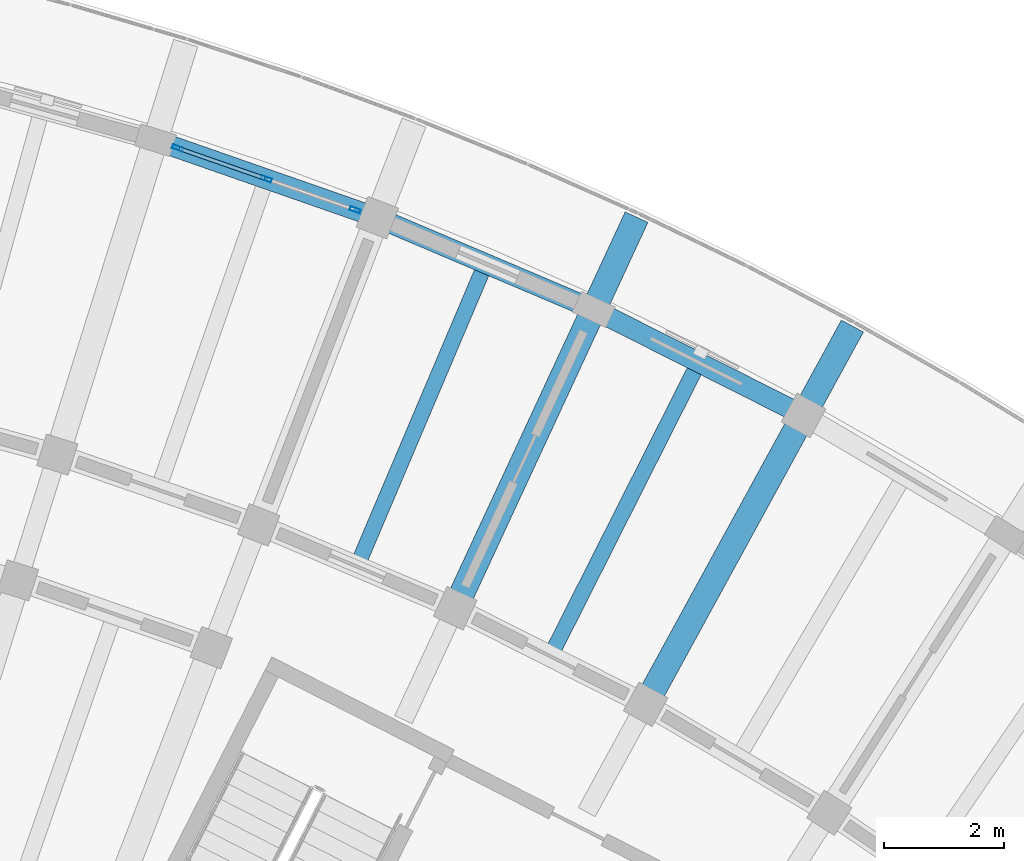
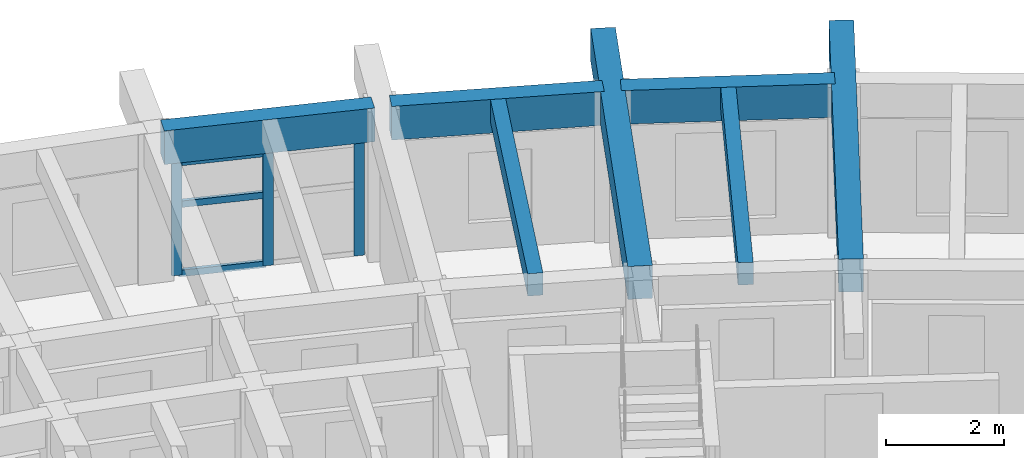
# One storey, part 27 of 78: 7 beams, 6 members, 1 element without a shape of its own.
"""IFC4 building model written with IfcOpenShell, lengths in metres."""

from ifc_helpers import new_model, si_unit, direction, frame, origin, origin_2d, place, context, subcontext, project, spatial, rectangle, hollow_rectangle, extrude, material, material_profile, profile_set, type_object, element, aggregate, save


model = new_model("IFC4")

# Units and contexts
model_context = context("Model", 3, precision=1e-05, world=origin(), true_north=direction((0.0, 1.0)))
body_context = subcontext(model_context, "Body", "Model", "MODEL_VIEW")
ifc_project = project(units=[si_unit("LENGTHUNIT", "METRE"), si_unit("AREAUNIT", "SQUARE_METRE"), si_unit("VOLUMEUNIT", "CUBIC_METRE"), si_unit("PLANEANGLEUNIT", "RADIAN"), si_unit("MASSUNIT", "GRAM", prefix="KILO")], contexts=[model_context])

# Site, building, storey
site_placement = place(None, origin())
site = spatial("IfcSite", under=ifc_project, at=site_placement, CompositionType="ELEMENT")
building_placement = place(site_placement, origin())
building = spatial("IfcBuilding", under=site, at=building_placement, Name="Tanwirah Colonnade Gardens", CompositionType="ELEMENT")
storey_placement = place(building_placement, frame((0.0, 0.0, 22.280029296875)))
storey = spatial("IfcBuildingStorey", under=building, at=storey_placement, Name="L06", CompositionType="ELEMENT", Elevation=22.280029296875)

# Beams
ifc_material_1 = material(Name="Precast concrete C45/55", Category="concrete")
ifc_material_profile_1 = material_profile(ifc_material_1, rectangle(XDim=0.419921875, YDim=0.679931640625, at=origin_2d()), Name="PC-BM 420x680")
ifc_profile_set_1 = profile_set([ifc_material_profile_1], Name="Precast concrete C45/55")
beam_type_1 = type_object("IfcBeamType", Name="BM-PC420", PredefinedType="BEAM", material=ifc_profile_set_1)
for number, where, z_axis, x_axis, name in (
    (1, (147.00048828125, 107.75634765625, 2.77001953125), (0.479686549155, 0.877439920769, 0.0), (-0.877439920769, 0.479686549155, 0.0), "Block B L06 Outer Radial Precast Girder 12"),
    (2, (143.810546875, 109.3662109375, 2.77001953125), (0.420855908645, 0.9071275016, 0.0), (-0.9071275016, 0.420855908645, 0.0), "Block B L06 Outer Radial Precast Girder 13"),
):
    element("IfcBeam", number, at=place(storey_placement, frame(where, z_axis=z_axis, x_axis=x_axis)), inside=storey, type_object=beam_type_1, Name=name, PredefinedType="BEAM", context=body_context, shape_type="SweptSolid", body=[
        extrude(rectangle(XDim=0.419921875, YDim=0.679931640625, at=origin_2d()), origin(), (0.0, 0.0, 1.0), 7.050048828125),
    ])

# Curtain wall, members
ifc_material_2 = material(Name="Bronze-anodised aluminium and solar-control low-E glass", Category="aluminium")
curtain_wall_type = type_object("IfcCurtainWallType", Name="CW-LOB", PredefinedType="NOTDEFINED", material=ifc_material_2)
curtain_wall_placement = place(storey_placement, origin())
curtain_wall = element("IfcCurtainWall", 3, at=curtain_wall_placement, inside=storey, type_object=curtain_wall_type, Name="Curtain Wall CW-B-L06-OUT-14", PredefinedType="NOTDEFINED")
ifc_material_3 = material(Name="Bronze-anodised aluminium", Category="aluminium")
ifc_material_profile_2 = material_profile(ifc_material_3, hollow_rectangle(XDim=0.06494140625, YDim=0.179931640625, WallThickness=0.00390625, at=origin_2d()), Name="CW-MUL 65x180x4")
ifc_profile_set_2 = profile_set([ifc_material_profile_2], Name="Bronze-anodised aluminium")
member_type_1 = type_object("IfcMemberType", Name="CWM-65x180", PredefinedType="MULLION", material=ifc_profile_set_2)
member_1_placement = place(storey_placement, frame((142.077880859375, 115.882568359375, 0.0), z_axis=(0.0, 0.0, 1.0), x_axis=(-0.329232195914, -0.944248993208, 0.0)))
member_1 = element("IfcMember", 4, at=member_1_placement, type_object=member_type_1, Name="CW-LOB mullion 1", PredefinedType="MULLION", context=body_context, shape_type="SweptSolid", body=[
    extrude(hollow_rectangle(XDim=0.06494140625, YDim=0.179931640625, WallThickness=0.00390625, at=origin_2d()), origin(), (0.0, 0.0, 1.0), 2.35498046875),
])
member_2_placement = place(storey_placement, frame((140.59521484375, 116.3994140625, 0.0), z_axis=(0.0, 0.0, 1.0), x_axis=(-0.329232195914, -0.944248993208, 0.0)))
member_2 = element("IfcMember", 5, at=member_2_placement, type_object=member_type_1, Name="CW-LOB mullion 2", PredefinedType="MULLION", context=body_context, shape_type="SweptSolid", body=[
    extrude(hollow_rectangle(XDim=0.06494140625, YDim=0.179931640625, WallThickness=0.00390625, at=origin_2d()), origin(), (0.0, 0.0, 1.0), 2.35498046875),
])
member_3_placement = place(storey_placement, frame((139.1123046875, 116.91650390625, 0.0), z_axis=(0.0, 0.0, 1.0), x_axis=(-0.329232195914, -0.944248993208, 0.0)))
member_3 = element("IfcMember", 6, at=member_3_placement, type_object=member_type_1, Name="CW-LOB mullion 3", PredefinedType="MULLION", context=body_context, shape_type="SweptSolid", body=[
    extrude(hollow_rectangle(XDim=0.06494140625, YDim=0.179931640625, WallThickness=0.00390625, at=origin_2d()), origin(), (0.0, 0.0, 1.0), 2.35498046875),
])
ifc_material_profile_3 = material_profile(ifc_material_3, hollow_rectangle(XDim=0.06494140625, YDim=0.135009765625, WallThickness=0.00390625, at=origin_2d()), Name="CW-TRN 65x135x4")
ifc_profile_set_3 = profile_set([ifc_material_profile_3], Name="Bronze-anodised aluminium")
member_type_2 = type_object("IfcMemberType", Name="CWT-65x135", PredefinedType="USERDEFINED", material=ifc_profile_set_3)
member_4_placement = place(storey_placement, frame((140.564453125, 116.41015625, 0.032470703125), z_axis=(-0.944247091644, 0.329237649611, 0.0), x_axis=(-0.329237649611, -0.944247091644, 0.0)))
member_4 = element("IfcMember", 7, at=member_4_placement, type_object=member_type_2, Name="CW-LOB transom 2.1", ObjectType="TRANSOM", PredefinedType="USERDEFINED", context=body_context, shape_type="SweptSolid", body=[
    extrude(hollow_rectangle(XDim=0.06494140625, YDim=0.135009765625, WallThickness=0.00390625, at=origin_2d()), origin(), (0.0, 0.0, 1.0), 1.50537109375),
])
member_5_placement = place(storey_placement, frame((140.564453125, 116.41015625, 1.4599609375), z_axis=(-0.944247091644, 0.329237649611, 0.0), x_axis=(-0.329237649611, -0.944247091644, 0.0)))
member_5 = element("IfcMember", 8, at=member_5_placement, type_object=member_type_2, Name="CW-LOB transom 2.2", ObjectType="TRANSOM", PredefinedType="USERDEFINED", context=body_context, shape_type="SweptSolid", body=[
    extrude(hollow_rectangle(XDim=0.06494140625, YDim=0.135009765625, WallThickness=0.00390625, at=origin_2d()), origin(), (0.0, 0.0, 1.0), 1.50537109375),
])
member_6_placement = place(storey_placement, frame((140.564453125, 116.41015625, 2.322509765625), z_axis=(-0.944247091644, 0.329237649611, 0.0), x_axis=(-0.329237649611, -0.944247091644, 0.0)))
member_6 = element("IfcMember", 9, at=member_6_placement, type_object=member_type_2, Name="CW-LOB transom 2.3", ObjectType="TRANSOM", PredefinedType="USERDEFINED", context=body_context, shape_type="SweptSolid", body=[
    extrude(hollow_rectangle(XDim=0.06494140625, YDim=0.135009765625, WallThickness=0.00390625, at=origin_2d()), origin(), (0.0, 0.0, 1.0), 1.50537109375),
])
aggregate(curtain_wall, [member_1, member_2, member_3, member_4, member_5, member_6])

# Beams
ifc_material_4 = material(Name="Precast concrete C40/50", Category="concrete")
ifc_material_profile_4 = material_profile(ifc_material_4, rectangle(XDim=0.260009765625, YDim=0.4599609375, at=origin_2d()), Name="PC-JST 260x460")
ifc_profile_set_4 = profile_set([ifc_material_profile_4], Name="Precast concrete C40/50")
beam_type_2 = type_object("IfcBeamType", Name="JST-PC260", PredefinedType="JOIST", material=ifc_profile_set_4)
beam_1_placement = place(storey_placement, frame((145.4052734375, 108.560791015625, 2.8798828125), z_axis=(0.450533699488, 0.892759422031, 0.0), x_axis=(-0.892759422031, 0.450533699488, 0.0)))
element("IfcBeam", 10, at=beam_1_placement, inside=storey, type_object=beam_type_2, Name="Block B L06 Precast Floor Joist 12", PredefinedType="JOIST", context=body_context, shape_type="SweptSolid", body=[
    extrude(rectangle(XDim=0.260009765625, YDim=0.4599609375, at=origin_2d()), origin(), (0.0, 0.0, 1.0), 5.26025390625),
])
beam_2_placement = place(storey_placement, frame((142.166015625, 110.063720703125, 2.8798828125), z_axis=(0.390723870106, 0.92050793442, 0.0), x_axis=(-0.92050793442, 0.390723870106, 0.0)))
element("IfcBeam", 11, at=beam_2_placement, inside=storey, type_object=beam_type_2, Name="Block B L06 Precast Floor Joist 13", PredefinedType="JOIST", context=body_context, shape_type="SweptSolid", body=[
    extrude(rectangle(XDim=0.260009765625, YDim=0.4599609375, at=origin_2d()), origin(), (0.0, 0.0, 1.0), 5.260009765625),
])
ifc_material_profile_5 = material_profile(ifc_material_4, rectangle(XDim=0.3349609375, YDim=0.695068359375, at=origin_2d()), Name="PC-SP 335x695")
ifc_profile_set_5 = profile_set([ifc_material_profile_5], Name="Precast concrete C40/50")
beam_type_3 = type_object("IfcBeamType", Name="SP-PC300", PredefinedType="SPANDREL", material=ifc_profile_set_5)
beam_3_placement = place(storey_placement, frame((149.43310546875, 112.518310546875, 2.762451171875), z_axis=(-0.892764670911, 0.450523298368, 0.0), x_axis=(-0.450523298368, -0.892764670911, 0.0)))
element("IfcBeam", 12, at=beam_3_placement, inside=storey, type_object=beam_type_3, Name="Block B L06 Circumferential Beam 12-R3", PredefinedType="SPANDREL", context=body_context, shape_type="SweptSolid", body=[
    extrude(rectangle(XDim=0.3349609375, YDim=0.695068359375, at=origin_2d()), origin(), (0.0, 0.0, 1.0), 3.6259765625),
])
for number, where, z_axis, x_axis, name in (
    (13, (145.924072265625, 114.27783203125, 2.762451171875), (-0.920494456807, 0.390755620545, 0.0), (-0.390755620545, -0.920494456807, 0.0), "Block B L06 Circumferential Beam 13-R3"),
    (14, (142.306884765625, 115.802490234375, 2.762451171875), (-0.944236700093, 0.329267450863, 0.0), (-0.329267450863, -0.944236700093, 0.0), "Block B L06 Circumferential Beam 14-R3"),
):
    element("IfcBeam", number, at=place(storey_placement, frame(where, z_axis=z_axis, x_axis=x_axis)), inside=storey, type_object=beam_type_3, Name=name, PredefinedType="SPANDREL", context=body_context, shape_type="SweptSolid", body=[
        extrude(rectangle(XDim=0.3349609375, YDim=0.695068359375, at=origin_2d()), origin(), (0.0, 0.0, 1.0), 3.625732421875),
    ])

save(model, "model.ifc")
